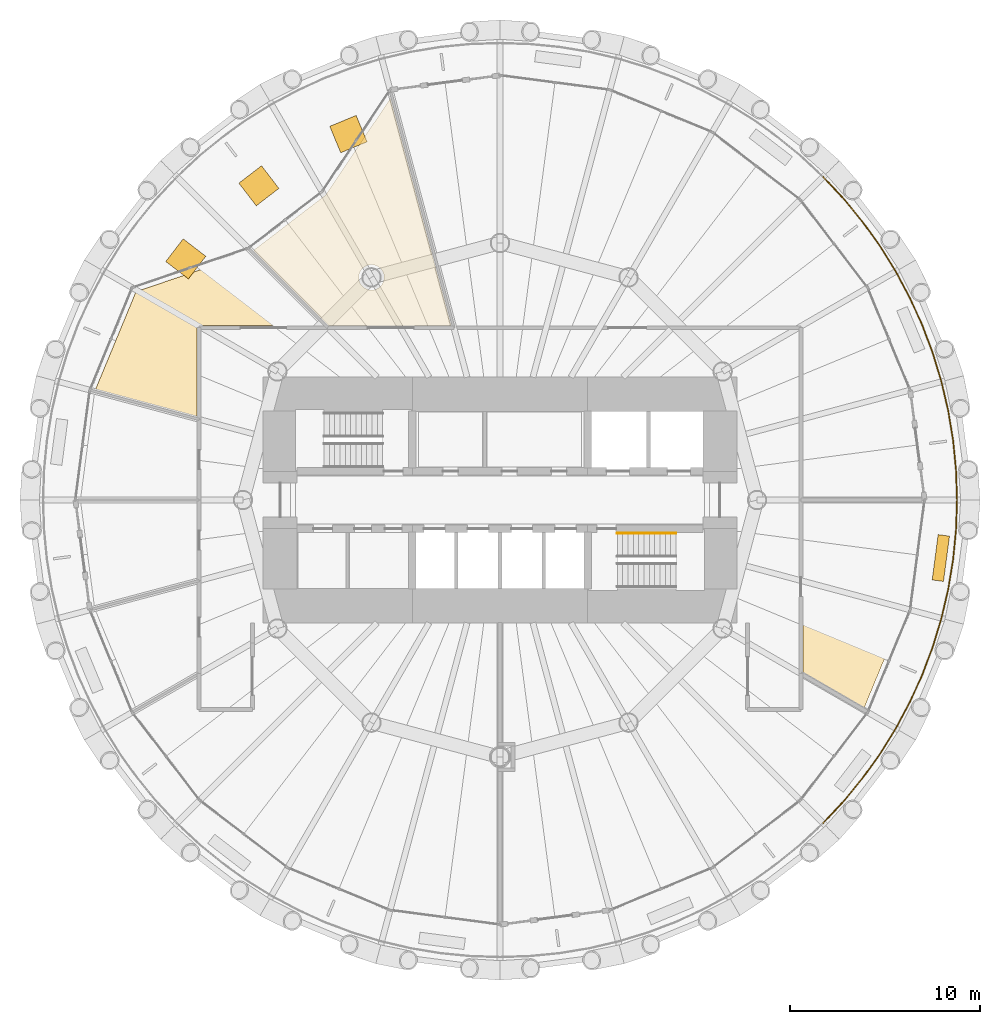
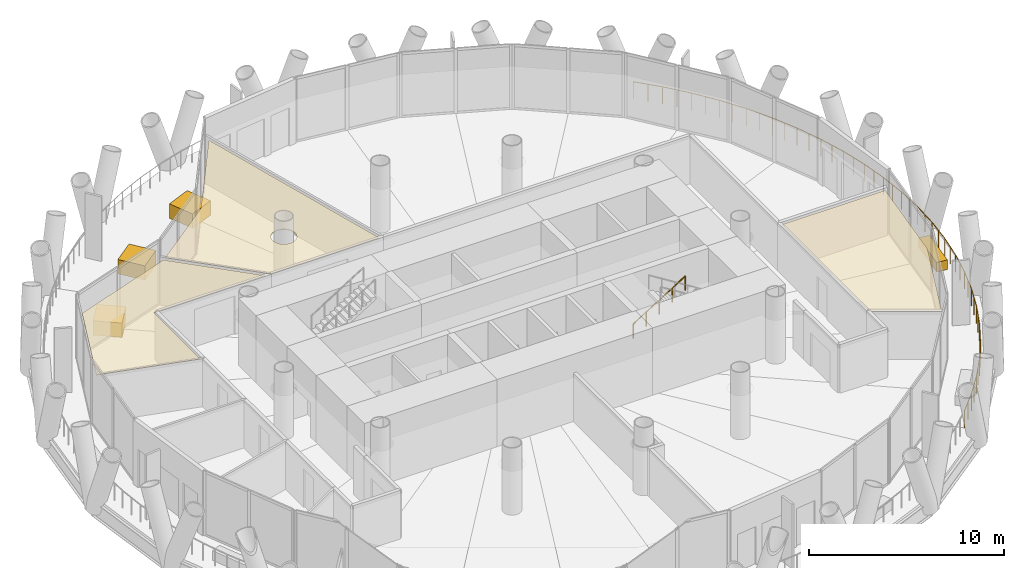
# One storey, part 13 of 14: 7 coverings, 2 railings.
"""IFC4 building model written with IfcOpenShell, lengths in metres."""

from ifc_helpers import new_model, si_unit, direction, frame, origin, origin_2d, place, context, subcontext, project, spatial, polyline, rectangle, circle, outline, extrude, material, layer, layer_set, type_object, element, save


model = new_model("IFC4")

# Units and contexts
model_context = context("Model", 3, precision=1e-05, world=origin(), true_north=direction((0.0, 1.0)))
body_context = subcontext(model_context, "Body", "Model", "MODEL_VIEW")
ifc_project = project(units=[si_unit("LENGTHUNIT", "METRE"), si_unit("AREAUNIT", "SQUARE_METRE"), si_unit("VOLUMEUNIT", "CUBIC_METRE"), si_unit("PLANEANGLEUNIT", "RADIAN"), si_unit("MASSUNIT", "GRAM", prefix="KILO")], contexts=[model_context])

# Site, building, storey
site_placement = place(None, origin())
site = spatial("IfcSite", under=ifc_project, at=site_placement, CompositionType="ELEMENT")
building_placement = place(site_placement, origin())
building = spatial("IfcBuilding", under=site, at=building_placement, Name="Qaws Media Tower", CompositionType="ELEMENT")
storey_placement = place(building_placement, frame((0.0, 0.0, 160.39990234375)))
storey = spatial("IfcBuildingStorey", under=building, at=storey_placement, Name="L36", CompositionType="ELEMENT", Elevation=160.39990234375)

# Coverings
ifc_material_1 = material(Name="40 perforated acoustic panels with mineral wool backing, suspended", Category="mineral fibre")
ifc_layer_1 = layer(ifc_material_1, 0.0400390625)
ifc_layer_set_1 = layer_set([ifc_layer_1], Name="Acoustic panel ceiling 40")
covering_type_1 = type_object("IfcCoveringType", Name="Acoustic panel ceiling 40", PredefinedType="CEILING", material=ifc_layer_set_1)
covering_1_placement = place(storey_placement, frame((0.0, 0.0, 2.85009765625)))
element("IfcCovering", 1, at=covering_1_placement, inside=storey, type_object=covering_type_1, Name="CL3 ceiling L36-03 Training room", PredefinedType="CEILING", context=body_context, shape_type="SweptSolid", body=[
    extrude(outline(polyline([(50.843994140625, 66.0126953125), (54.235595703125, 71.078857421875), (57.428466796875, 59.16259765625), (50.99658203125, 59.16259765625), (47.05419921875, 63.104736328125), (50.843994140625, 66.0126953125)]), holes=[polyline([(53.8671875, 61.435791015625), (53.895263671875, 61.5185546875), (53.912353515625, 61.604248046875), (53.91796875, 61.69140625), (53.912353515625, 61.778564453125), (53.895263671875, 61.8642578125), (53.8671875, 61.947021484375), (53.82861328125, 62.025390625), (53.780029296875, 62.097900390625), (53.722412109375, 62.163818359375), (53.65673828125, 62.22119140625), (53.583984375, 62.269775390625), (53.505615234375, 62.30859375), (53.4228515625, 62.336669921875), (53.337158203125, 62.353515625), (53.25, 62.359375), (53.162841796875, 62.353515625), (53.0771484375, 62.336669921875), (52.994384765625, 62.30859375), (52.916015625, 62.269775390625), (52.84326171875, 62.22119140625), (52.777587890625, 62.163818359375), (52.719970703125, 62.097900390625), (52.67138671875, 62.025390625), (52.6328125, 61.947021484375), (52.604736328125, 61.8642578125), (52.587646484375, 61.778564453125), (52.58203125, 61.69140625), (52.587646484375, 61.604248046875), (52.604736328125, 61.5185546875), (52.6328125, 61.435791015625), (52.67138671875, 61.357421875), (52.719970703125, 61.28466796875), (52.777587890625, 61.218994140625), (52.84326171875, 61.161376953125), (52.916015625, 61.11279296875), (52.994384765625, 61.07421875), (53.0771484375, 61.046142578125), (53.162841796875, 61.029052734375), (53.25, 61.023193359375), (53.337158203125, 61.029052734375), (53.4228515625, 61.046142578125), (53.505615234375, 61.07421875), (53.583984375, 61.11279296875), (53.65673828125, 61.161376953125), (53.722412109375, 61.218994140625), (53.780029296875, 61.28466796875), (53.82861328125, 61.357421875), (53.8671875, 61.435791015625)])]), origin(), (0.0, 0.0, 1.0), 0.0400390625),
])
covering_2_placement = place(storey_placement, frame((0.0, 0.0, 2.85009765625)))
element("IfcCovering", 2, at=covering_2_placement, inside=storey, type_object=covering_type_1, Name="CL3 ceiling L36-04 Training room", PredefinedType="CEILING", context=body_context, shape_type="SweptSolid", body=[
    extrude(outline(polyline([(40.884765625, 60.939697265625), (46.865234375, 62.9755859375), (50.678466796875, 59.16259765625), (44.08740234375, 59.16259765625), (44.08740234375, 54.380126953125), (38.759033203125, 55.80810546875), (40.884765625, 60.939697265625)])), origin(), (0.0, 0.0, 1.0), 0.0400390625),
])

# Railing
ifc_material_2 = material(Name="Stainless steel and glass guard", Category="steel")
railing_type_1 = type_object("IfcRailingType", Name="Balcony guard 1100", PredefinedType="GUARDRAIL", material=ifc_material_2)
railing_1_placement = place(storey_placement, frame((76.970458984375, 33.029541015625, 0.0)))
element("IfcRailing", 3, at=railing_1_placement, inside=storey, type_object=railing_type_1, Name="GR1 balcony guard L36-4", PredefinedType="GUARDRAIL", context=body_context, shape_type="SweptSolid", body=[
    extrude(circle(Radius=0.02392578125, at=origin_2d()), frame((0.0, 0.0, 1.076171875), z_axis=(0.683646341922, 0.729813455053, 0.0), x_axis=(-0.729813455053, 0.683646341922, 0.0)), (0.0, 0.0, 1.0), 1.570556640625),
    extrude(circle(Radius=0.02392578125, at=origin_2d()), frame((1.07373046875, 1.146240234375, 1.076171875), z_axis=(0.63444763195, 0.77296584809, 0.0), x_axis=(-0.77296584809, 0.63444763195, 0.0)), (0.0, 0.0, 1.0), 1.5703125),
    extrude(circle(Radius=0.02392578125, at=origin_2d()), frame((2.070068359375, 2.360107421875, 1.076171875), z_axis=(0.582472724726, 0.812850247555, 0.0), x_axis=(-0.812850247555, 0.582472724726, 0.0)), (0.0, 0.0, 1.0), 1.570556640625),
    extrude(circle(Radius=0.02392578125, at=origin_2d()), frame((2.98486328125, 3.63671875, 1.076171875), z_axis=(0.528055328802, 0.849209967984, 0.0), x_axis=(-0.849209967984, 0.528055328802, 0.0)), (0.0, 0.0, 1.0), 1.570556640625),
    extrude(circle(Radius=0.02392578125, at=origin_2d()), frame((3.814208984375, 4.970458984375, 1.076171875), z_axis=(0.471362677406, 0.881939468642, 0.0), x_axis=(-0.881939468642, 0.471362677406, 0.0)), (0.0, 0.0, 1.0), 1.5703125),
    extrude(circle(Radius=0.02392578125, at=origin_2d()), frame((4.554443359375, 6.35546875, 1.076171875), z_axis=(0.412690076585, 0.910871506135, 0.0), x_axis=(-0.910871506135, 0.412690076585, 0.0)), (0.0, 0.0, 1.0), 1.570556640625),
    extrude(circle(Radius=0.02392578125, at=origin_2d()), frame((5.20263671875, 7.7861328125, 1.076171875), z_axis=(0.35228169997, 0.935894013159, 0.0), x_axis=(-0.935894013159, 0.35228169997, 0.0)), (0.0, 0.0, 1.0), 1.5703125),
    extrude(circle(Radius=0.02392578125, at=origin_2d()), frame((5.755859375, 9.255859375, 1.076171875), z_axis=(0.290227424961, 0.956957701155, 0.0), x_axis=(-0.956957701155, 0.290227424961, 0.0)), (0.0, 0.0, 1.0), 1.570556640625),
    extrude(circle(Radius=0.02392578125, at=origin_2d()), frame((6.211669921875, 10.7587890625, 1.076171875), z_axis=(0.227106763871, 0.973869866976, 0.0), x_axis=(-0.973869866976, 0.227106763871, 0.0)), (0.0, 0.0, 1.0), 1.570556640625),
    extrude(circle(Radius=0.02392578125, at=origin_2d()), frame((6.568359375, 12.288330078125, 1.076171875), z_axis=(0.162911522757, 0.98664068219, 0.0), x_axis=(-0.98664068219, 0.162911522757, 0.0)), (0.0, 0.0, 1.0), 1.570556640625),
    extrude(circle(Radius=0.02392578125, at=origin_2d()), frame((6.82421875, 13.837890625, 1.076171875), z_axis=(0.098087656745, 0.995177778889, 0.0), x_axis=(-0.995177778889, 0.098087656745, 0.0)), (0.0, 0.0, 1.0), 1.570556640625),
    extrude(circle(Radius=0.02392578125, at=origin_2d()), frame((6.978271484375, 15.40087890625, 1.076171875), z_axis=(0.03264707697, 0.999466942107, 0.0), x_axis=(-0.999466942107, 0.03264707697, 0.0)), (0.0, 0.0, 1.0), 1.5703125),
    extrude(circle(Radius=0.02392578125, at=origin_2d()), frame((7.029541015625, 16.970458984375, 1.076171875), z_axis=(-0.03264707697, 0.999466942107, 0.0), x_axis=(-0.999466942107, -0.03264707697, 0.0)), (0.0, 0.0, 1.0), 1.5703125),
    extrude(circle(Radius=0.02392578125, at=origin_2d()), frame((6.978271484375, 18.5400390625, 1.076171875), z_axis=(-0.098087656745, 0.995177778889, 0.0), x_axis=(-0.995177778889, -0.098087656745, 0.0)), (0.0, 0.0, 1.0), 1.570556640625),
    extrude(circle(Radius=0.02392578125, at=origin_2d()), frame((6.82421875, 20.10302734375, 1.076171875), z_axis=(-0.162911522757, 0.98664068219, 0.0), x_axis=(-0.98664068219, -0.162911522757, 0.0)), (0.0, 0.0, 1.0), 1.570556640625),
    extrude(circle(Radius=0.02392578125, at=origin_2d()), frame((6.568359375, 21.652587890625, 1.076171875), z_axis=(-0.227106763871, 0.973869866976, 0.0), x_axis=(-0.973869866976, -0.227106763871, 0.0)), (0.0, 0.0, 1.0), 1.570556640625),
    extrude(circle(Radius=0.02392578125, at=origin_2d()), frame((6.211669921875, 23.18212890625, 1.076171875), z_axis=(-0.290227424961, 0.956957701155, 0.0), x_axis=(-0.956957701155, -0.290227424961, 0.0)), (0.0, 0.0, 1.0), 1.570556640625),
    extrude(circle(Radius=0.02392578125, at=origin_2d()), frame((5.755859375, 24.68505859375, 1.076171875), z_axis=(-0.35228169997, 0.935894013159, 0.0), x_axis=(-0.935894013159, -0.35228169997, 0.0)), (0.0, 0.0, 1.0), 1.5703125),
    extrude(circle(Radius=0.02392578125, at=origin_2d()), frame((5.20263671875, 26.15478515625, 1.076171875), z_axis=(-0.412690076585, 0.910871506135, 0.0), x_axis=(-0.910871506135, -0.412690076585, 0.0)), (0.0, 0.0, 1.0), 1.570556640625),
    extrude(circle(Radius=0.02392578125, at=origin_2d()), frame((4.554443359375, 27.58544921875, 1.076171875), z_axis=(-0.471362677406, 0.881939468642, 0.0), x_axis=(-0.881939468642, -0.471362677406, 0.0)), (0.0, 0.0, 1.0), 1.5703125),
    extrude(circle(Radius=0.02392578125, at=origin_2d()), frame((3.814208984375, 28.970458984375, 1.076171875), z_axis=(-0.528055328802, 0.849209967984, 0.0), x_axis=(-0.849209967984, -0.528055328802, 0.0)), (0.0, 0.0, 1.0), 1.570556640625),
    extrude(circle(Radius=0.02392578125, at=origin_2d()), frame((2.98486328125, 30.30419921875, 1.076171875), z_axis=(-0.582472724726, 0.812850247555, 0.0), x_axis=(-0.812850247555, -0.582472724726, 0.0)), (0.0, 0.0, 1.0), 1.570556640625),
    extrude(circle(Radius=0.02392578125, at=origin_2d()), frame((2.070068359375, 31.580810546875, 1.076171875), z_axis=(-0.63444763195, 0.77296584809, 0.0), x_axis=(-0.77296584809, -0.63444763195, 0.0)), (0.0, 0.0, 1.0), 1.5703125),
    extrude(circle(Radius=0.02392578125, at=origin_2d()), frame((1.07373046875, 32.794677734375, 1.076171875), z_axis=(-0.683646341922, 0.729813455053, 0.0), x_axis=(-0.729813455053, -0.683646341922, 0.0)), (0.0, 0.0, 1.0), 1.570556640625),
    extrude(circle(Radius=0.02099609375, at=origin_2d()), origin(), (0.0, 0.0, 1.0), 1.052001953125),
    extrude(circle(Radius=0.02099609375, at=origin_2d()), frame((0.536865234375, 0.5732421875, 0.0)), (0.0, 0.0, 1.0), 1.052001953125),
    extrude(circle(Radius=0.02099609375, at=origin_2d()), frame((1.07373046875, 1.146240234375, 0.0)), (0.0, 0.0, 1.0), 1.052001953125),
    extrude(circle(Radius=0.02099609375, at=origin_2d()), frame((1.57177734375, 1.753173828125, 0.0)), (0.0, 0.0, 1.0), 1.052001953125),
    extrude(circle(Radius=0.02099609375, at=origin_2d()), frame((2.070068359375, 2.360107421875, 0.0)), (0.0, 0.0, 1.0), 1.052001953125),
    extrude(circle(Radius=0.02099609375, at=origin_2d()), frame((2.52734375, 2.99853515625, 0.0)), (0.0, 0.0, 1.0), 1.052001953125),
    extrude(circle(Radius=0.02099609375, at=origin_2d()), frame((2.98486328125, 3.63671875, 0.0)), (0.0, 0.0, 1.0), 1.052001953125),
    extrude(circle(Radius=0.02099609375, at=origin_2d()), frame((3.3994140625, 4.3037109375, 0.0)), (0.0, 0.0, 1.0), 1.052001953125),
    extrude(circle(Radius=0.02099609375, at=origin_2d()), frame((3.814208984375, 4.970458984375, 0.0)), (0.0, 0.0, 1.0), 1.052001953125),
    extrude(circle(Radius=0.02099609375, at=origin_2d()), frame((4.184326171875, 5.6630859375, 0.0)), (0.0, 0.0, 1.0), 1.052001953125),
    extrude(circle(Radius=0.02099609375, at=origin_2d()), frame((4.554443359375, 6.35546875, 0.0)), (0.0, 0.0, 1.0), 1.052001953125),
    extrude(circle(Radius=0.02099609375, at=origin_2d()), frame((4.87841796875, 7.07080078125, 0.0)), (0.0, 0.0, 1.0), 1.052001953125),
    extrude(circle(Radius=0.02099609375, at=origin_2d()), frame((5.20263671875, 7.7861328125, 0.0)), (0.0, 0.0, 1.0), 1.052001953125),
    extrude(circle(Radius=0.02099609375, at=origin_2d()), frame((5.479248046875, 8.52099609375, 0.0)), (0.0, 0.0, 1.0), 1.052001953125),
    extrude(circle(Radius=0.02099609375, at=origin_2d()), frame((5.755859375, 9.255859375, 0.0)), (0.0, 0.0, 1.0), 1.052001953125),
    extrude(circle(Radius=0.02099609375, at=origin_2d()), frame((5.98388671875, 10.00732421875, 0.0)), (0.0, 0.0, 1.0), 1.052001953125),
    extrude(circle(Radius=0.02099609375, at=origin_2d()), frame((6.211669921875, 10.7587890625, 0.0)), (0.0, 0.0, 1.0), 1.052001953125),
    extrude(circle(Radius=0.02099609375, at=origin_2d()), frame((6.39013671875, 11.5234375, 0.0)), (0.0, 0.0, 1.0), 1.052001953125),
    extrude(circle(Radius=0.02099609375, at=origin_2d()), frame((6.568359375, 12.288330078125, 0.0)), (0.0, 0.0, 1.0), 1.052001953125),
    extrude(circle(Radius=0.02099609375, at=origin_2d()), frame((6.6962890625, 13.06298828125, 0.0)), (0.0, 0.0, 1.0), 1.052001953125),
    extrude(circle(Radius=0.02099609375, at=origin_2d()), frame((6.82421875, 13.837890625, 0.0)), (0.0, 0.0, 1.0), 1.052001953125),
    extrude(circle(Radius=0.02099609375, at=origin_2d()), frame((6.9013671875, 14.619384765625, 0.0)), (0.0, 0.0, 1.0), 1.052001953125),
    extrude(circle(Radius=0.02099609375, at=origin_2d()), frame((6.978271484375, 15.40087890625, 0.0)), (0.0, 0.0, 1.0), 1.052001953125),
    extrude(circle(Radius=0.02099609375, at=origin_2d()), frame((7.00390625, 16.185546875, 0.0)), (0.0, 0.0, 1.0), 1.052001953125),
    extrude(circle(Radius=0.02099609375, at=origin_2d()), frame((7.029541015625, 16.970458984375, 0.0)), (0.0, 0.0, 1.0), 1.052001953125),
    extrude(circle(Radius=0.02099609375, at=origin_2d()), frame((7.00390625, 17.75537109375, 0.0)), (0.0, 0.0, 1.0), 1.052001953125),
    extrude(circle(Radius=0.02099609375, at=origin_2d()), frame((6.978271484375, 18.5400390625, 0.0)), (0.0, 0.0, 1.0), 1.052001953125),
    extrude(circle(Radius=0.02099609375, at=origin_2d()), frame((6.9013671875, 19.321533203125, 0.0)), (0.0, 0.0, 1.0), 1.052001953125),
    extrude(circle(Radius=0.02099609375, at=origin_2d()), frame((6.82421875, 20.10302734375, 0.0)), (0.0, 0.0, 1.0), 1.052001953125),
    extrude(circle(Radius=0.02099609375, at=origin_2d()), frame((6.6962890625, 20.8779296875, 0.0)), (0.0, 0.0, 1.0), 1.052001953125),
    extrude(circle(Radius=0.02099609375, at=origin_2d()), frame((6.568359375, 21.652587890625, 0.0)), (0.0, 0.0, 1.0), 1.052001953125),
    extrude(circle(Radius=0.02099609375, at=origin_2d()), frame((6.39013671875, 22.41748046875, 0.0)), (0.0, 0.0, 1.0), 1.052001953125),
    extrude(circle(Radius=0.02099609375, at=origin_2d()), frame((6.211669921875, 23.18212890625, 0.0)), (0.0, 0.0, 1.0), 1.052001953125),
    extrude(circle(Radius=0.02099609375, at=origin_2d()), frame((5.98388671875, 23.93359375, 0.0)), (0.0, 0.0, 1.0), 1.052001953125),
    extrude(circle(Radius=0.02099609375, at=origin_2d()), frame((5.755859375, 24.68505859375, 0.0)), (0.0, 0.0, 1.0), 1.052001953125),
    extrude(circle(Radius=0.02099609375, at=origin_2d()), frame((5.479248046875, 25.419921875, 0.0)), (0.0, 0.0, 1.0), 1.052001953125),
    extrude(circle(Radius=0.02099609375, at=origin_2d()), frame((5.20263671875, 26.15478515625, 0.0)), (0.0, 0.0, 1.0), 1.052001953125),
    extrude(circle(Radius=0.02099609375, at=origin_2d()), frame((4.87841796875, 26.8701171875, 0.0)), (0.0, 0.0, 1.0), 1.052001953125),
    extrude(circle(Radius=0.02099609375, at=origin_2d()), frame((4.554443359375, 27.58544921875, 0.0)), (0.0, 0.0, 1.0), 1.052001953125),
    extrude(circle(Radius=0.02099609375, at=origin_2d()), frame((4.184326171875, 28.27783203125, 0.0)), (0.0, 0.0, 1.0), 1.052001953125),
    extrude(circle(Radius=0.02099609375, at=origin_2d()), frame((3.814208984375, 28.970458984375, 0.0)), (0.0, 0.0, 1.0), 1.052001953125),
    extrude(circle(Radius=0.02099609375, at=origin_2d()), frame((3.3994140625, 29.63720703125, 0.0)), (0.0, 0.0, 1.0), 1.052001953125),
    extrude(circle(Radius=0.02099609375, at=origin_2d()), frame((2.98486328125, 30.30419921875, 0.0)), (0.0, 0.0, 1.0), 1.052001953125),
    extrude(circle(Radius=0.02099609375, at=origin_2d()), frame((2.52734375, 30.9423828125, 0.0)), (0.0, 0.0, 1.0), 1.052001953125),
    extrude(circle(Radius=0.02099609375, at=origin_2d()), frame((2.070068359375, 31.580810546875, 0.0)), (0.0, 0.0, 1.0), 1.052001953125),
    extrude(circle(Radius=0.02099609375, at=origin_2d()), frame((1.57177734375, 32.187744140625, 0.0)), (0.0, 0.0, 1.0), 1.052001953125),
    extrude(circle(Radius=0.02099609375, at=origin_2d()), frame((1.07373046875, 32.794677734375, 0.0)), (0.0, 0.0, 1.0), 1.052001953125),
    extrude(circle(Radius=0.02099609375, at=origin_2d()), frame((0.536865234375, 33.36767578125, 0.0)), (0.0, 0.0, 1.0), 1.052001953125),
    extrude(circle(Radius=0.02099609375, at=origin_2d()), frame((0.0, 33.94091796875, 0.0)), (0.0, 0.0, 1.0), 1.052001953125),
])

# Coverings
ifc_material_3 = material(Name="600 x 600 mineral fibre tiles in exposed grid, suspended", Category="mineral fibre")
ifc_layer_2 = layer(ifc_material_3, 0.02001953125)
ifc_layer_set_2 = layer_set([ifc_layer_2], Name="Mineral fibre tile ceiling 20")
covering_type_2 = type_object("IfcCoveringType", Name="Mineral fibre tile ceiling 20", PredefinedType="CEILING", material=ifc_layer_set_2)
covering_3_placement = place(storey_placement, frame((0.0, 0.0, 2.85009765625)))
element("IfcCovering", 4, at=covering_3_placement, inside=storey, type_object=covering_type_2, Name="CL1 ceiling L36-10 HR office", PredefinedType="CEILING", context=body_context, shape_type="SweptSolid", body=[
    extrude(outline(polyline([(81.284423828125, 44.296875), (79.12646484375, 39.087158203125), (75.91259765625, 40.94287109375), (75.91259765625, 49.887451171875), (82.0205078125, 49.887451171875), (81.284423828125, 44.296875)])), origin(), (0.0, 0.0, 1.0), 0.02001953125),
])
ifc_material_4 = material(Name="Precast concrete planter with trailing planting", Category="concrete")
ifc_layer_3 = layer(ifc_material_4, 0.60009765625)
ifc_layer_set_3 = layer_set([ifc_layer_3], Name="Planter 2400x600")
covering_type_3 = type_object("IfcCoveringType", Name="Planter 2400x600", PredefinedType="USERDEFINED", material=ifc_layer_set_3)
covering_4_placement = place(storey_placement, frame((83.150146484375, 46.9521484375, 0.0), z_axis=(0.0, 0.0, 1.0), x_axis=(0.13052619222, 0.991444861374, 0.0)))
element("IfcCovering", 5, at=covering_4_placement, inside=storey, type_object=covering_type_3, Name="PL1 balcony planter L36-12", ObjectType="PLANTER", PredefinedType="USERDEFINED", context=body_context, shape_type="SweptSolid", body=[
    extrude(rectangle(XDim=2.39990234375, YDim=0.60009765625, at=origin_2d()), origin(), (0.0, 0.0, 1.0), 0.60009765625),
])

# Railing
ifc_material_5 = material(Name="Steel tube handrail", Category="steel")
railing_type_2 = type_object("IfcRailingType", Name="Stair handrail 900", PredefinedType="HANDRAIL", material=ifc_material_5)
railing_2_placement = place(storey_placement, frame((66.159912109375, 48.25, 0.175048828125)))
element("IfcRailing", 6, at=railing_2_placement, inside=storey, type_object=railing_type_2, Name="HR1 handrail S2 flight 1 L36", PredefinedType="HANDRAIL", context=body_context, shape_type="SweptSolid", body=[
    extrude(circle(Radius=0.02392578125, at=origin_2d()), frame((0.0, 0.0, 0.8759765625), z_axis=(0.847998304005, 0.0, 0.529998940003), x_axis=(0.0, 1.0, 0.0)), (0.0, 0.0, 1.0), 3.632080078125),
    extrude(circle(Radius=0.02099609375, at=origin_2d()), origin(), (0.0, 0.0, 1.0), 0.851806640625),
    extrude(circle(Radius=0.02099609375, at=origin_2d()), frame((0.77001953125, 0.0, 0.481201171875)), (0.0, 0.0, 1.0), 0.851806640625),
    extrude(circle(Radius=0.02099609375, at=origin_2d()), frame((1.5400390625, 0.0, 0.96240234375)), (0.0, 0.0, 1.0), 0.851806640625),
    extrude(circle(Radius=0.02099609375, at=origin_2d()), frame((2.31005859375, 0.0, 1.44384765625)), (0.0, 0.0, 1.0), 0.851806640625),
    extrude(circle(Radius=0.02099609375, at=origin_2d()), frame((3.080078125, 0.0, 1.925048828125)), (0.0, 0.0, 1.0), 0.851806640625),
])

# Coverings
ifc_material_6 = material(Name="Precast concrete tree planter", Category="concrete")
ifc_layer_4 = layer(ifc_material_6, 0.89990234375)
ifc_layer_set_4 = layer_set([ifc_layer_4], Name="Tree planter 1500")
covering_type_4 = type_object("IfcCoveringType", Name="Tree planter 1500", PredefinedType="USERDEFINED", material=ifc_layer_set_4)
for number, where, z_axis, x_axis, name in (
    (7, (52.040283203125, 69.216796875, 0.000244140625), (0.0, 0.0, 1.0), (-0.382683432365, 0.923879532511, 0.0), "PL2 sky garden tree planter L36-1"),
    (8, (47.337646484375, 66.501708984375, 0.000244140625), (0.0, 0.0, 1.0), (-0.608761429009, 0.793353340291, 0.0), "PL2 sky garden tree planter L36-2"),
    (9, (43.498291015625, 62.662353515625, 0.000244140625), (0.0, 0.0, 1.0), (-0.793353340291, 0.608761429009, 0.0), "PL2 sky garden tree planter L36-3"),
):
    element("IfcCovering", number, at=place(storey_placement, frame(where, z_axis=z_axis, x_axis=x_axis)), inside=storey, type_object=covering_type_4, Name=name, ObjectType="PLANTER", PredefinedType="USERDEFINED", context=body_context, shape_type="SweptSolid", body=[
        extrude(rectangle(XDim=1.5, YDim=1.5, at=origin_2d()), origin(), (0.0, 0.0, 1.0), 0.89990234375),
    ])

save(model, "model.ifc")
